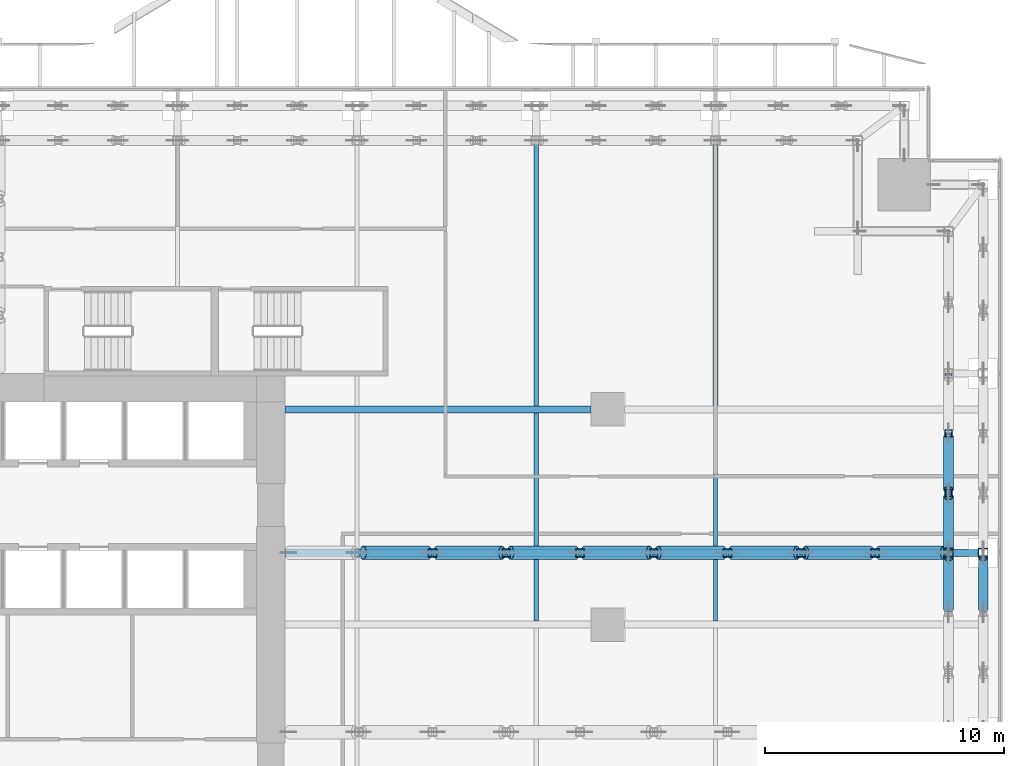
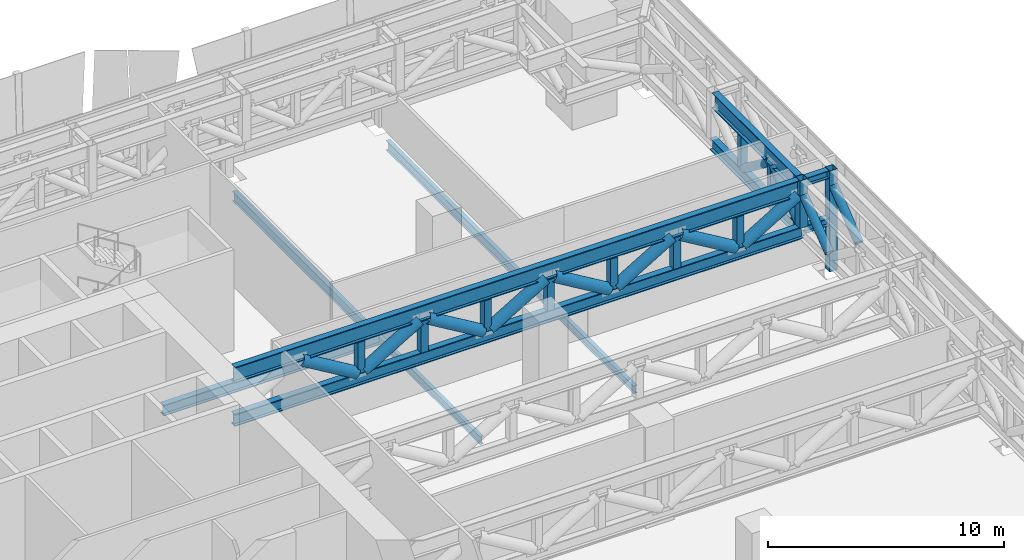
# One storey, part 22 of 39: 27 members, 7 beams.
"""IFC4 building model written with IfcOpenShell, lengths in metres."""

from ifc_helpers import new_model, si_unit, direction, frame, origin, origin_2d, place, context, subcontext, project, spatial, hollow_rectangle, hollow_circle, i_section, extrude, source, transform, mapped, material, material_profile, profile_set, type_object, element, save


model = new_model("IFC4")

# Units and contexts
model_context = context("Model", 3, precision=1e-05, world=origin(), true_north=direction((0.0, 1.0)))
body_context = subcontext(model_context, "Body", "Model", "MODEL_VIEW")
ifc_project = project(units=[si_unit("LENGTHUNIT", "METRE"), si_unit("AREAUNIT", "SQUARE_METRE"), si_unit("VOLUMEUNIT", "CUBIC_METRE"), si_unit("PLANEANGLEUNIT", "RADIAN"), si_unit("MASSUNIT", "GRAM", prefix="KILO")], contexts=[model_context])

# Site, building, storey
site_placement = place(None, origin())
site = spatial("IfcSite", under=ifc_project, at=site_placement, CompositionType="ELEMENT")
building_placement = place(site_placement, origin())
building = spatial("IfcBuilding", under=site, at=building_placement, Name="Khomas Fold Tower", CompositionType="ELEMENT")
storey_placement = place(building_placement, frame((0.0, 0.0, 96.0)))
storey = spatial("IfcBuildingStorey", under=building, at=storey_placement, Name="L20", CompositionType="ELEMENT", Elevation=96.0)

# Beams
ifc_material_1 = material(Name="Steel S355", Category="steel")
ifc_material_profile_1 = material_profile(ifc_material_1, i_section(OverallWidth=0.300048828125, OverallDepth=0.550048828125, WebThickness=0.014892578125, FlangeThickness=0.029052734375, at=origin_2d()), Name="HE 550 B")
ifc_profile_set_1 = profile_set([ifc_material_profile_1], Name="Steel S355")
beam_type_1 = type_object("IfcBeamType", Name="HE 550 B beam GB4", PredefinedType="BEAM", material=ifc_profile_set_1)
shared_shape_1 = source(origin(), body_context, "Body", "SweptSolid", [
    extrude(i_section(OverallWidth=0.300048828125, OverallDepth=0.550048828125, WebThickness=0.014892578125, FlangeThickness=0.029052734375, at=origin_2d()), origin(), (0.0, 0.0, 1.0), 12.800048828125),
])
beam_1_placement = place(storey_placement, frame((24.0, 40.5, -0.675048828125), z_axis=(1.0, 0.0, 0.0), x_axis=(0.0, 1.0, 0.0)))
element("IfcBeam", 1, at=beam_1_placement, inside=storey, type_object=beam_type_1, Name="GB4", PredefinedType="BEAM", context=body_context, shape_type="MappedRepresentation", body=[
    mapped(shared_shape_1, transform((0.0, 0.0, 0.0))),
])
ifc_material_2 = material(Name="Steel S355", Category="steel")
ifc_material_profile_2 = material_profile(ifc_material_2, i_section(OverallWidth=0.179931640625, OverallDepth=0.39990234375, WebThickness=0.008544921875, FlangeThickness=0.013427734375, at=origin_2d()), Name="IPE 400")
ifc_profile_set_2 = profile_set([ifc_material_profile_2], Name="Steel S355")
beam_type_2 = type_object("IfcBeamType", Name="IPE 400 beam JB3", PredefinedType="BEAM", material=ifc_profile_set_2)
shared_shape_2 = source(origin(), body_context, "Body", "SweptSolid", [
    extrude(i_section(OverallWidth=0.179931640625, OverallDepth=0.39990234375, WebThickness=0.008544921875, FlangeThickness=0.013427734375, at=origin_2d()), origin(), (0.0, 0.0, 1.0), 8.7001953125),
])
for number, where, z_axis, x_axis, name in (
    (2, (34.5, 31.64990234375, -0.60009765625), (0.0, 1.0, 0.0), (-1.0, 0.0, 0.0), "JB3"),
    (3, (42.0, 31.64990234375, -0.60009765625), (0.0, 1.0, 0.0), (-1.0, 0.0, 0.0), "JB3"),
):
    element("IfcBeam", number, at=place(storey_placement, frame(where, z_axis=z_axis, x_axis=x_axis)), inside=storey, type_object=beam_type_2, Name=name, PredefinedType="BEAM", context=body_context, shape_type="MappedRepresentation", body=[
        mapped(shared_shape_2, transform((0.0, 0.0, 0.0))),
    ])
ifc_material_3 = material(Name="Steel S355", Category="steel")
ifc_material_profile_3 = material_profile(ifc_material_3, i_section(OverallWidth=0.199951171875, OverallDepth=0.5, WebThickness=0.01025390625, FlangeThickness=0.01611328125, at=origin_2d()), Name="IPE 500")
ifc_profile_set_3 = profile_set([ifc_material_profile_3], Name="Steel S355")
beam_type_3 = type_object("IfcBeamType", Name="IPE 500 beam JB5", PredefinedType="BEAM", material=ifc_profile_set_3)
shared_shape_3 = source(origin(), body_context, "Body", "SweptSolid", [
    extrude(i_section(OverallWidth=0.199951171875, OverallDepth=0.5, WebThickness=0.01025390625, FlangeThickness=0.01611328125, at=origin_2d()), origin(), (0.0, 0.0, 1.0), 11.9501953125),
])
for number, where, z_axis, x_axis, name in (
    (4, (34.5, 40.64990234375, -0.64990234375), (0.0, 1.0, 0.0), (-1.0, 0.0, 0.0), "JB5"),
    (5, (42.0, 40.64990234375, -0.64990234375), (0.0, 1.0, 0.0), (-1.0, 0.0, 0.0), "JB5"),
):
    element("IfcBeam", number, at=place(storey_placement, frame(where, z_axis=z_axis, x_axis=x_axis)), inside=storey, type_object=beam_type_3, Name=name, PredefinedType="BEAM", context=body_context, shape_type="MappedRepresentation", body=[
        mapped(shared_shape_3, transform((0.0, 0.0, 0.0))),
    ])

# Members
ifc_material_4 = material(Name="Steel S355", Category="steel")
ifc_material_profile_4 = material_profile(ifc_material_4, i_section(OverallWidth=0.300048828125, OverallDepth=0.60009765625, WebThickness=0.015380859375, FlangeThickness=0.030029296875, at=origin_2d()), Name="HE 600 B")
ifc_profile_set_4 = profile_set([ifc_material_profile_4], Name="Steel S355")
member_type_1 = type_object("IfcMemberType", Name="BELT TRUSS 1 BOTTOM CHORD HE 600 B", PredefinedType="CHORD", material=ifc_profile_set_4)
shared_shape_4 = source(origin(), body_context, "Body", "SweptSolid", [
    extrude(i_section(OverallWidth=0.300048828125, OverallDepth=0.60009765625, WebThickness=0.015380859375, FlangeThickness=0.030029296875, at=origin_2d()), origin(), (0.0, 0.0, 1.0), 7.5),
])
member_1_placement = place(storey_placement, frame((51.75, 34.5, 2.449951171875), z_axis=(0.0, 1.0, 0.0), x_axis=(-1.0, 0.0, 0.0)))
element("IfcMember", 6, at=member_1_placement, inside=storey, type_object=member_type_1, Name="BT1-CB", PredefinedType="CHORD", context=body_context, shape_type="MappedRepresentation", body=[
    mapped(shared_shape_4, transform((0.0, 0.0, 0.0))),
])
ifc_material_5 = material(Name="Steel S355", Category="steel")
ifc_material_profile_5 = material_profile(ifc_material_5, hollow_rectangle(XDim=0.300048828125, YDim=0.300048828125, WallThickness=0.01611328125, at=origin_2d()), Name="SHS 300x300x16")
ifc_profile_set_5 = profile_set([ifc_material_profile_5], Name="Steel S355")
member_type_2 = type_object("IfcMemberType", Name="BELT TRUSS 1 MID POST SHS 300x300x16", PredefinedType="POST", material=ifc_profile_set_5)
shared_shape_5 = source(origin(), body_context, "Body", "SweptSolid", [
    extrude(hollow_rectangle(XDim=0.300048828125, YDim=0.300048828125, WallThickness=0.01611328125, at=origin_2d()), origin(), (0.0, 0.0, 1.0), 1.64990234375),
])
for number, where, z_axis, x_axis, name in (
    (7, (51.75, 37.0, 2.75), (0.0, 0.0, 1.0), (1.0, 0.0, 0.0), "BT1-M"),
    (8, (51.75, 39.5, 2.75), (0.0, 0.0, 1.0), (1.0, 0.0, 0.0), "BT1-M"),
):
    element("IfcMember", number, at=place(storey_placement, frame(where, z_axis=z_axis, x_axis=x_axis)), inside=storey, type_object=member_type_2, Name=name, PredefinedType="POST", context=body_context, shape_type="MappedRepresentation", body=[
        mapped(shared_shape_5, transform((0.0, 0.0, 0.0))),
    ])
ifc_material_6 = material(Name="Steel S460M", Category="steel")
ifc_material_profile_6 = material_profile(ifc_material_6, i_section(OverallWidth=0.300048828125, OverallDepth=0.800048828125, WebThickness=0.017578125, FlangeThickness=0.032958984375, at=origin_2d()), Name="HE 800 B")
ifc_profile_set_6 = profile_set([ifc_material_profile_6], Name="Steel S460M")
member_type_3 = type_object("IfcMemberType", Name="BELT TRUSS 1 TOP CHORD HE 800 B", PredefinedType="CHORD", material=ifc_profile_set_6)
shared_shape_6 = source(origin(), body_context, "Body", "SweptSolid", [
    extrude(i_section(OverallWidth=0.300048828125, OverallDepth=0.800048828125, WebThickness=0.017578125, FlangeThickness=0.032958984375, at=origin_2d()), origin(), (0.0, 0.0, 1.0), 7.10009765625),
])
member_2_placement = place(storey_placement, frame((51.75, 34.699951171875, 4.800048828125), z_axis=(0.0, 1.0, 0.0), x_axis=(-1.0, 0.0, 0.0)))
element("IfcMember", 9, at=member_2_placement, inside=storey, type_object=member_type_3, Name="BT1-CT", PredefinedType="CHORD", context=body_context, shape_type="MappedRepresentation", body=[
    mapped(shared_shape_6, transform((0.0, 0.0, 0.0))),
])
ifc_material_7 = material(Name="Steel S355", Category="steel")
ifc_material_profile_7 = material_profile(ifc_material_7, hollow_circle(Radius=0.203125, WallThickness=0.01611328125, at=origin_2d()), Name="CHS 406.4x16")
ifc_profile_set_7 = profile_set([ifc_material_profile_7], Name="Steel S355")
member_type_4 = type_object("IfcMemberType", Name="BELT TRUSS 1 DIAGONAL CHS 406.4x16", PredefinedType="BRACE", material=ifc_profile_set_7)
shared_shape_7 = source(origin(), body_context, "Body", "SweptSolid", [
    extrude(hollow_circle(Radius=0.203125, WallThickness=0.01611328125, at=origin_2d()), origin(), (0.0, 0.0, 1.0), 2.71630859375),
])
for number, where, z_axis, x_axis, name in (
    (10, (53.199951171875, 32.14990234375, 2.7451171875), (0.0, 0.791563625226, 0.611086759159), (-1.0, 0.0, 0.0), "BT1-D"),
    (11, (51.75, 32.14990234375, 2.7451171875), (0.0, 0.791563625226, 0.611086759159), (-1.0, 0.0, 0.0), "BT1-D"),
    (12, (51.75, 34.699951171875, 2.7451171875), (0.0, 0.791563625226, 0.611086759159), (-1.0, 0.0, 0.0), "BT1-D"),
):
    element("IfcMember", number, at=place(storey_placement, frame(where, z_axis=z_axis, x_axis=x_axis)), inside=storey, type_object=member_type_4, Name=name, PredefinedType="BRACE", context=body_context, shape_type="MappedRepresentation", body=[
        mapped(shared_shape_7, transform((0.0, 0.0, 0.0))),
    ])
shared_shape_8 = source(origin(), body_context, "Body", "SweptSolid", [
    extrude(hollow_circle(Radius=0.203125, WallThickness=0.01611328125, at=origin_2d()), origin(), (0.0, 0.0, 1.0), 2.756103515625),
])
member_3_placement = place(storey_placement, frame((51.75, 37.14990234375, 4.405029296875), z_axis=(0.0, 0.798296022167, -0.602265274602), x_axis=(-1.0, 0.0, 0.0)))
element("IfcMember", 13, at=member_3_placement, inside=storey, type_object=member_type_4, Name="BT1-D", PredefinedType="BRACE", context=body_context, shape_type="MappedRepresentation", body=[
    mapped(shared_shape_8, transform((0.0, 0.0, 0.0))),
])
ifc_material_8 = material(Name="Steel S460M", Category="steel")
ifc_material_profile_8 = material_profile(ifc_material_8, hollow_rectangle(XDim=0.39990234375, YDim=0.39990234375, WallThickness=0.02001953125, at=origin_2d()), Name="SHS 400x400x20")
ifc_profile_set_8 = profile_set([ifc_material_profile_8], Name="Steel S460M")
member_type_5 = type_object("IfcMemberType", Name="BELT TRUSS 1 COLUMN POST LONG SHS 400x400x20", PredefinedType="POST", material=ifc_profile_set_8)
shared_shape_9 = source(origin(), body_context, "Body", "SweptSolid", [
    extrude(hollow_rectangle(XDim=0.39990234375, YDim=0.39990234375, WallThickness=0.02001953125, at=origin_2d()), origin(), (0.0, 0.0, 1.0), 5.199951171875),
])
member_4_placement = place(storey_placement, frame((53.199951171875, 34.5, 0.0), z_axis=(0.0, 0.0, 1.0), x_axis=(1.0, 0.0, 0.0)))
element("IfcMember", 14, at=member_4_placement, inside=storey, type_object=member_type_5, Name="BT1-PL", PredefinedType="POST", context=body_context, shape_type="MappedRepresentation", body=[
    mapped(shared_shape_9, transform((0.0, 0.0, 0.0))),
])
ifc_material_9 = material(Name="Steel S460M", Category="steel")
ifc_material_profile_9 = material_profile(ifc_material_9, hollow_rectangle(XDim=0.39990234375, YDim=0.39990234375, WallThickness=0.02001953125, at=origin_2d()), Name="SHS 400x400x20")
ifc_profile_set_9 = profile_set([ifc_material_profile_9], Name="Steel S460M")
member_type_6 = type_object("IfcMemberType", Name="BELT TRUSS 1 COLUMN POST SHS 400x400x20", PredefinedType="POST", material=ifc_profile_set_9)
shared_shape_10 = source(origin(), body_context, "Body", "SweptSolid", [
    extrude(hollow_rectangle(XDim=0.39990234375, YDim=0.39990234375, WallThickness=0.02001953125, at=origin_2d()), origin(), (0.0, 0.0, 1.0), 2.449951171875),
])
member_5_placement = place(storey_placement, frame((51.75, 34.5, 2.75), z_axis=(0.0, 0.0, 1.0), x_axis=(1.0, 0.0, 0.0)))
element("IfcMember", 15, at=member_5_placement, inside=storey, type_object=member_type_6, Name="BT1-P", PredefinedType="POST", context=body_context, shape_type="MappedRepresentation", body=[
    mapped(shared_shape_10, transform((0.0, 0.0, 0.0))),
])

# Beams
ifc_material_10 = material(Name="Steel S355", Category="steel")
ifc_material_profile_10 = material_profile(ifc_material_10, i_section(OverallWidth=0.300048828125, OverallDepth=0.39990234375, WebThickness=0.013427734375, FlangeThickness=0.02392578125, at=origin_2d()), Name="HE 400 B")
ifc_profile_set_10 = profile_set([ifc_material_profile_10], Name="Steel S355")
beam_type_4 = type_object("IfcBeamType", Name="BELT TRUSS 1 TOP STRUT HE 400 B", PredefinedType="BEAM", material=ifc_profile_set_10)
shared_shape_11 = source(origin(), body_context, "Body", "SweptSolid", [
    extrude(i_section(OverallWidth=0.300048828125, OverallDepth=0.39990234375, WebThickness=0.013427734375, FlangeThickness=0.02392578125, at=origin_2d()), origin(), (0.0, 0.0, 1.0), 1.050048828125),
])
beam_2_placement = place(storey_placement, frame((51.949951171875, 34.5, 5.0), z_axis=(1.0, 0.0, 0.0), x_axis=(0.0, 1.0, 0.0)))
element("IfcBeam", 16, at=beam_2_placement, inside=storey, type_object=beam_type_4, Name="BT1-ST", PredefinedType="BEAM", context=body_context, shape_type="MappedRepresentation", body=[
    mapped(shared_shape_11, transform((0.0, 0.0, 0.0))),
])
ifc_material_11 = material(Name="Steel S355", Category="steel")
ifc_material_profile_11 = material_profile(ifc_material_11, i_section(OverallWidth=0.300048828125, OverallDepth=0.39990234375, WebThickness=0.013427734375, FlangeThickness=0.02392578125, at=origin_2d()), Name="HE 400 B")
ifc_profile_set_11 = profile_set([ifc_material_profile_11], Name="Steel S355")
beam_type_5 = type_object("IfcBeamType", Name="BELT TRUSS 1 BOTTOM STRUT HE 400 B", PredefinedType="BEAM", material=ifc_profile_set_11)
shared_shape_12 = source(origin(), body_context, "Body", "SweptSolid", [
    extrude(i_section(OverallWidth=0.300048828125, OverallDepth=0.39990234375, WebThickness=0.013427734375, FlangeThickness=0.02392578125, at=origin_2d()), origin(), (0.0, 0.0, 1.0), 1.10009765625),
])
beam_3_placement = place(storey_placement, frame((51.89990234375, 34.5, 2.550048828125), z_axis=(1.0, 0.0, 0.0), x_axis=(0.0, 1.0, 0.0)))
element("IfcBeam", 17, at=beam_3_placement, inside=storey, type_object=beam_type_5, Name="BT1-SB", PredefinedType="BEAM", context=body_context, shape_type="MappedRepresentation", body=[
    mapped(shared_shape_12, transform((0.0, 0.0, 0.0))),
])

# Members
ifc_material_12 = material(Name="Steel S460M", Category="steel")
ifc_material_profile_12 = material_profile(ifc_material_12, i_section(OverallWidth=0.302978515625, OverallDepth=0.81396484375, WebThickness=0.02099609375, FlangeThickness=0.0400390625, at=origin_2d()), Name="HE 800 M")
ifc_profile_set_12 = profile_set([ifc_material_profile_12], Name="Steel S460M")
member_type_7 = type_object("IfcMemberType", Name="OUTRIGGER 1 TOP CHORD LONGER HE 800 M", PredefinedType="CHORD", material=ifc_profile_set_12)
shared_shape_13 = source(origin(), body_context, "Body", "SweptSolid", [
    extrude(i_section(OverallWidth=0.302978515625, OverallDepth=0.81396484375, WebThickness=0.02099609375, FlangeThickness=0.0400390625, at=origin_2d()), origin(), (0.0, 0.0, 1.0), 27.550048828125),
])
member_6_placement = place(storey_placement, frame((24.0, 34.5, 4.79296875), z_axis=(1.0, 0.0, 0.0), x_axis=(0.0, 1.0, 0.0)))
element("IfcMember", 18, at=member_6_placement, inside=storey, type_object=member_type_7, Name="OR1-CTLL", PredefinedType="CHORD", context=body_context, shape_type="MappedRepresentation", body=[
    mapped(shared_shape_13, transform((0.0, 0.0, 0.0))),
])
ifc_material_13 = material(Name="Steel S460M", Category="steel")
ifc_material_profile_13 = material_profile(ifc_material_13, i_section(OverallWidth=0.304931640625, OverallDepth=0.6201171875, WebThickness=0.02099609375, FlangeThickness=0.0400390625, at=origin_2d()), Name="HE 600 M")
ifc_profile_set_13 = profile_set([ifc_material_profile_13], Name="Steel S460M")
member_type_8 = type_object("IfcMemberType", Name="OUTRIGGER 1 BOTTOM CHORD LONGER HE 600 M", PredefinedType="CHORD", material=ifc_profile_set_13)
shared_shape_14 = source(origin(), body_context, "Body", "SweptSolid", [
    extrude(i_section(OverallWidth=0.304931640625, OverallDepth=0.6201171875, WebThickness=0.02099609375, FlangeThickness=0.0400390625, at=origin_2d()), origin(), (0.0, 0.0, 1.0), 27.75),
])
member_7_placement = place(storey_placement, frame((24.0, 34.5, 2.4599609375), z_axis=(1.0, 0.0, 0.0), x_axis=(0.0, 1.0, 0.0)))
element("IfcMember", 19, at=member_7_placement, inside=storey, type_object=member_type_8, Name="OR1-CBLL", PredefinedType="CHORD", context=body_context, shape_type="MappedRepresentation", body=[
    mapped(shared_shape_14, transform((0.0, 0.0, 0.0))),
])
ifc_material_14 = material(Name="Steel S355", Category="steel")
ifc_material_profile_14 = material_profile(ifc_material_14, hollow_circle(Radius=0.279541015625, WallThickness=0.01611328125, at=origin_2d()), Name="CHS 559x16")
ifc_profile_set_14 = profile_set([ifc_material_profile_14], Name="Steel S355")
member_type_9 = type_object("IfcMemberType", Name="OUTRIGGER 1 DIAGONAL CHS 559x16", PredefinedType="BRACE", material=ifc_profile_set_14)
shared_shape_15 = source(origin(), body_context, "Body", "SweptSolid", [
    extrude(hollow_circle(Radius=0.279541015625, WallThickness=0.01611328125, at=origin_2d()), origin(), (0.0, 0.0, 1.0), 3.1806640625),
])
for number, where, z_axis, x_axis, name in (
    (20, (27.25830078125, 34.5, 4.39111328125), (0.859403714634, 0.0, -0.511297619076), (0.0, 1.0, 0.0), "OR1-D"),
    (21, (30.341552734375, 34.5, 2.764892578125), (0.859403714634, 0.0, 0.511297619076), (0.0, 1.0, 0.0), "OR1-D"),
    (22, (33.425048828125, 34.5, 4.39111328125), (0.859403714634, 0.0, -0.511297619076), (0.0, 1.0, 0.0), "OR1-D"),
    (23, (36.50830078125, 34.5, 2.764892578125), (0.859403714634, 0.0, 0.511297619076), (0.0, 1.0, 0.0), "OR1-D"),
    (24, (39.591552734375, 34.5, 4.39111328125), (0.859403714634, 0.0, -0.511297619076), (0.0, 1.0, 0.0), "OR1-D"),
    (25, (42.675048828125, 34.5, 2.764892578125), (0.859403714634, 0.0, 0.511297619076), (0.0, 1.0, 0.0), "OR1-D"),
    (26, (45.75830078125, 34.5, 4.39111328125), (0.859403714634, 0.0, -0.511297619076), (0.0, 1.0, 0.0), "OR1-D"),
):
    element("IfcMember", number, at=place(storey_placement, frame(where, z_axis=z_axis, x_axis=x_axis)), inside=storey, type_object=member_type_9, Name=name, PredefinedType="BRACE", context=body_context, shape_type="MappedRepresentation", body=[
        mapped(shared_shape_15, transform((0.0, 0.0, 0.0))),
    ])
shared_shape_16 = source(origin(), body_context, "Body", "SweptSolid", [
    extrude(hollow_circle(Radius=0.279541015625, WallThickness=0.01611328125, at=origin_2d()), origin(), (0.0, 0.0, 1.0), 3.1591796875),
])
member_8_placement = place(storey_placement, frame((48.841552734375, 34.5, 2.764892578125), z_axis=(0.857336054445, 0.0, 0.51475711724), x_axis=(0.0, 1.0, 0.0)))
element("IfcMember", 27, at=member_8_placement, inside=storey, type_object=member_type_9, Name="OR1-D", PredefinedType="BRACE", context=body_context, shape_type="MappedRepresentation", body=[
    mapped(shared_shape_16, transform((0.0, 0.0, 0.0))),
])
ifc_material_15 = material(Name="Steel S355", Category="steel")
ifc_material_profile_15 = material_profile(ifc_material_15, hollow_rectangle(XDim=0.35009765625, YDim=0.35009765625, WallThickness=0.02001953125, at=origin_2d()), Name="SHS 350x350x20")
ifc_profile_set_15 = profile_set([ifc_material_profile_15], Name="Steel S355")
member_type_10 = type_object("IfcMemberType", Name="OUTRIGGER 1 MID POST SHS 350x350x20", PredefinedType="POST", material=ifc_profile_set_15)
shared_shape_17 = source(origin(), body_context, "Body", "SweptSolid", [
    extrude(hollow_rectangle(XDim=0.35009765625, YDim=0.35009765625, WallThickness=0.02001953125, at=origin_2d()), origin(), (0.0, 0.0, 1.0), 1.615966796875),
])
for number, where, z_axis, x_axis, name in (
    (28, (30.166748046875, 34.5, 2.77001953125), (0.0, 0.0, 1.0), (1.0, 0.0, 0.0), "OR1-M"),
    (29, (33.25, 34.5, 2.77001953125), (0.0, 0.0, 1.0), (1.0, 0.0, 0.0), "OR1-M"),
    (30, (36.333251953125, 34.5, 2.77001953125), (0.0, 0.0, 1.0), (1.0, 0.0, 0.0), "OR1-M"),
    (31, (39.416748046875, 34.5, 2.77001953125), (0.0, 0.0, 1.0), (1.0, 0.0, 0.0), "OR1-M"),
    (32, (42.5, 34.5, 2.77001953125), (0.0, 0.0, 1.0), (1.0, 0.0, 0.0), "OR1-M"),
    (33, (45.583251953125, 34.5, 2.77001953125), (0.0, 0.0, 1.0), (1.0, 0.0, 0.0), "OR1-M"),
    (34, (48.666748046875, 34.5, 2.77001953125), (0.0, 0.0, 1.0), (1.0, 0.0, 0.0), "OR1-M"),
):
    element("IfcMember", number, at=place(storey_placement, frame(where, z_axis=z_axis, x_axis=x_axis)), inside=storey, type_object=member_type_10, Name=name, PredefinedType="POST", context=body_context, shape_type="MappedRepresentation", body=[
        mapped(shared_shape_17, transform((0.0, 0.0, 0.0))),
    ])

save(model, "model.ifc")
